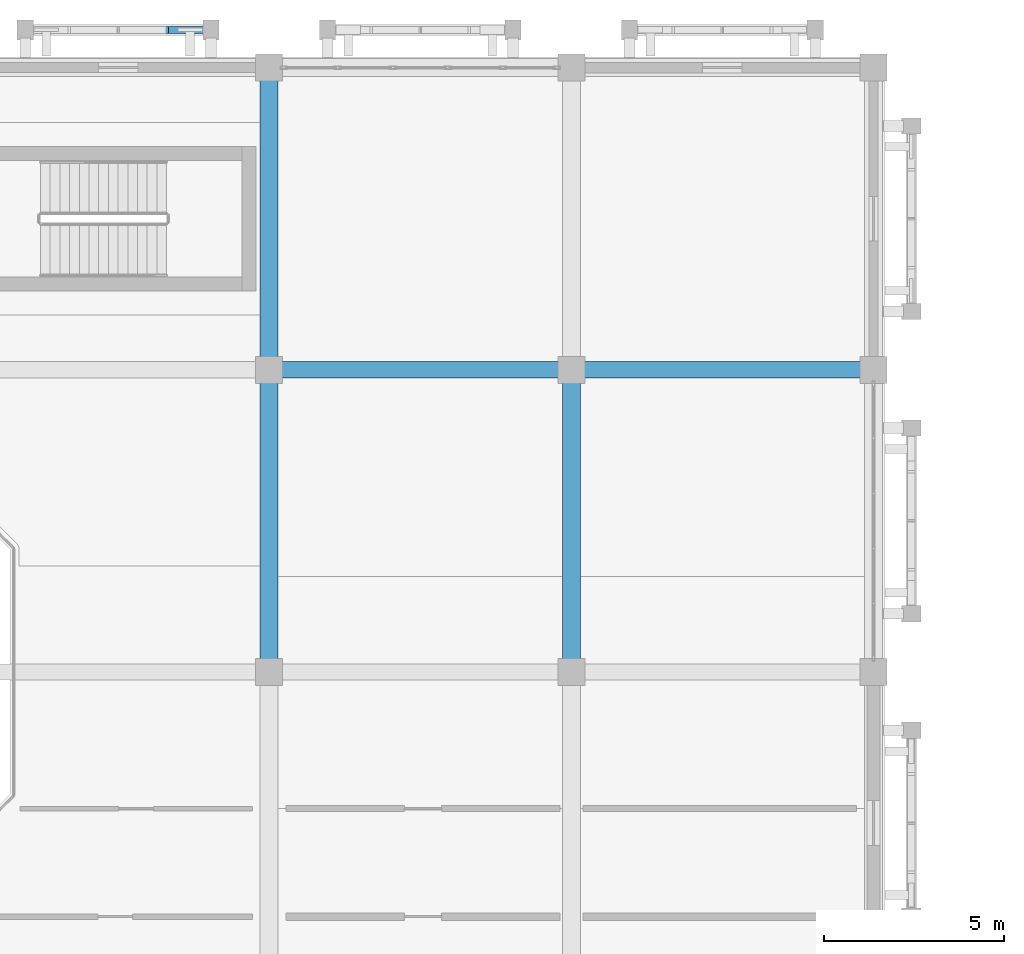
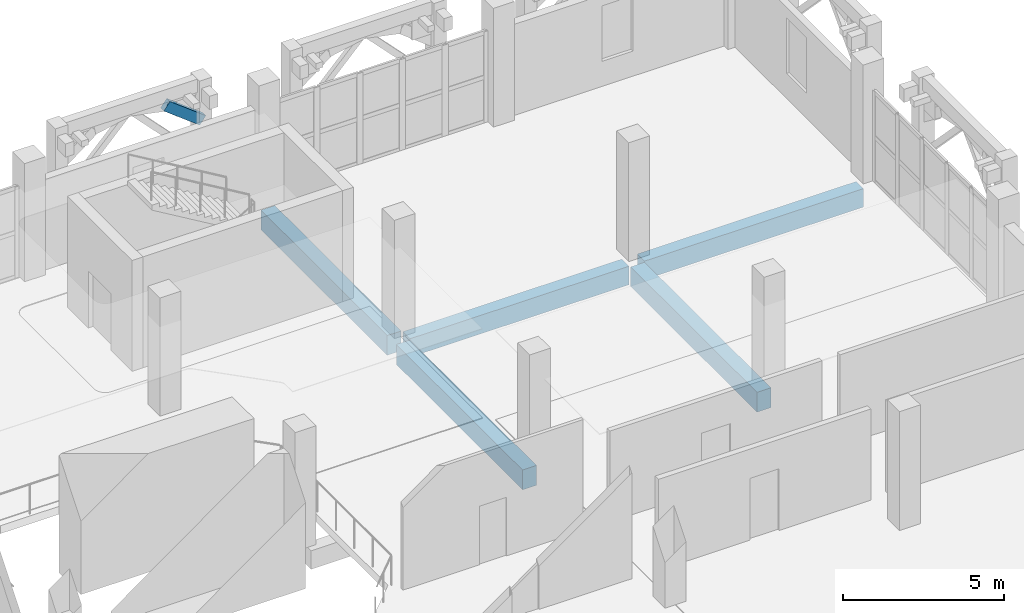
# One storey, part 56 of 114: 5 beams, 1 member.
"""IFC4 building model written with IfcOpenShell, lengths in metres."""

from ifc_helpers import new_model, si_unit, direction, frame, origin, origin_2d, place, context, subcontext, project, spatial, rectangle, extrude, material, material_profile, profile_set, type_object, element, save


model = new_model("IFC4")

# Units and contexts
model_context = context("Model", 3, precision=1e-05, world=origin(), true_north=direction((0.0, 1.0)))
body_context = subcontext(model_context, "Body", "Model", "MODEL_VIEW")
ifc_project = project(units=[si_unit("LENGTHUNIT", "METRE"), si_unit("AREAUNIT", "SQUARE_METRE"), si_unit("VOLUMEUNIT", "CUBIC_METRE"), si_unit("PLANEANGLEUNIT", "RADIAN"), si_unit("MASSUNIT", "GRAM", prefix="KILO")], contexts=[model_context])

# Site, building, storey
site_placement = place(None, origin())
site = spatial("IfcSite", under=ifc_project, at=site_placement, CompositionType="ELEMENT")
building_placement = place(site_placement, origin())
building = spatial("IfcBuilding", under=site, at=building_placement, Name="Xazarin Passage Department Store", CompositionType="ELEMENT")
storey_placement = place(building_placement, frame((0.0, 0.0, 14.39990234375)))
storey = spatial("IfcBuildingStorey", under=building, at=storey_placement, Name="L03", CompositionType="ELEMENT", Elevation=14.39990234375)

# Beams
ifc_material_1 = material(Name="Concrete C35/45", Category="concrete")
ifc_material_profile_1 = material_profile(ifc_material_1, rectangle(XDim=0.449951171875, YDim=0.699951171875, at=origin_2d()), Name="RC 450x700")
ifc_profile_set_1 = profile_set([ifc_material_profile_1], Name="Concrete C35/45")
beam_type_1 = type_object("IfcBeamType", Name="STR-BM-G450x700", PredefinedType="BEAM", material=ifc_profile_set_1)
for number, where, z_axis, x_axis, name in (
    (1, (33.8798828125, 101.60009765625, -0.64990234375), (1.0, 0.0, 0.0), (0.0, 1.0, 0.0), "L03 Grid Beam P/5-6"),
    (2, (42.280029296875, 101.60009765625, -0.64990234375), (1.0, 0.0, 0.0), (0.0, 1.0, 0.0), "L03 Grid Beam P/6-7"),
):
    element("IfcBeam", number, at=place(storey_placement, frame(where, z_axis=z_axis, x_axis=x_axis)), inside=storey, type_object=beam_type_1, Name=name, PredefinedType="BEAM", context=body_context, shape_type="SweptSolid", body=[
        extrude(rectangle(XDim=0.449951171875, YDim=0.699951171875, at=origin_2d()), origin(), (0.0, 0.0, 1.0), 7.840087890625),
    ])
ifc_material_profile_2 = material_profile(ifc_material_1, rectangle(XDim=0.5, YDim=0.75, at=origin_2d()), Name="RC 500x750")
ifc_profile_set_2 = profile_set([ifc_material_profile_2], Name="Concrete C35/45")
beam_type_2 = type_object("IfcBeamType", Name="STR-BM-SP500x750", PredefinedType="SPANDREL", material=ifc_profile_set_2)
for number, where, z_axis, x_axis, name in (
    (3, (33.60009765625, 93.47998046875, -0.6748046875), (0.0, 1.0, 0.0), (-1.0, 0.0, 0.0), "L03 Grid Beam 5/N-P"),
    (4, (33.60009765625, 101.8798828125, -0.6748046875), (0.0, 1.0, 0.0), (-1.0, 0.0, 0.0), "L03 Grid Beam 5/P-Q"),
    (5, (42.0, 93.47998046875, -0.6748046875), (0.0, 1.0, 0.0), (-1.0, 0.0, 0.0), "L03 Grid Beam 6/N-P"),
):
    element("IfcBeam", number, at=place(storey_placement, frame(where, z_axis=z_axis, x_axis=x_axis)), inside=storey, type_object=beam_type_2, Name=name, PredefinedType="SPANDREL", context=body_context, shape_type="SweptSolid", body=[
        extrude(rectangle(XDim=0.5, YDim=0.75, at=origin_2d()), origin(), (0.0, 0.0, 1.0), 7.840087890625),
    ])

# Member
ifc_material_2 = material(Name="Concrete C40/50", Category="concrete")
ifc_material_profile_3 = material_profile(ifc_material_2, rectangle(XDim=0.199951171875, YDim=0.360107421875, at=origin_2d()), Name="RC 200x360")
ifc_profile_set_3 = profile_set([ifc_material_profile_3], Name="Concrete C40/50")
member_type = type_object("IfcMemberType", Name="STR-MEM-ARC360", PredefinedType="CHORD", material=ifc_profile_set_3)
member_placement = place(storey_placement, frame((30.68994140625, 111.050048828125, 3.81640625), z_axis=(0.79440903847, 0.0, -0.607383140692), x_axis=(0.0, 1.0, 0.0)))
element("IfcMember", 6, at=member_placement, inside=storey, type_object=member_type, Name="L03 V1 Pierced Lattice Curved Arch 002.4", PredefinedType="CHORD", context=body_context, shape_type="SweptSolid", body=[
    extrude(rectangle(XDim=0.199951171875, YDim=0.360107421875, at=origin_2d()), origin(), (0.0, 0.0, 1.0), 1.623779296875),
])

save(model, "model.ifc")
